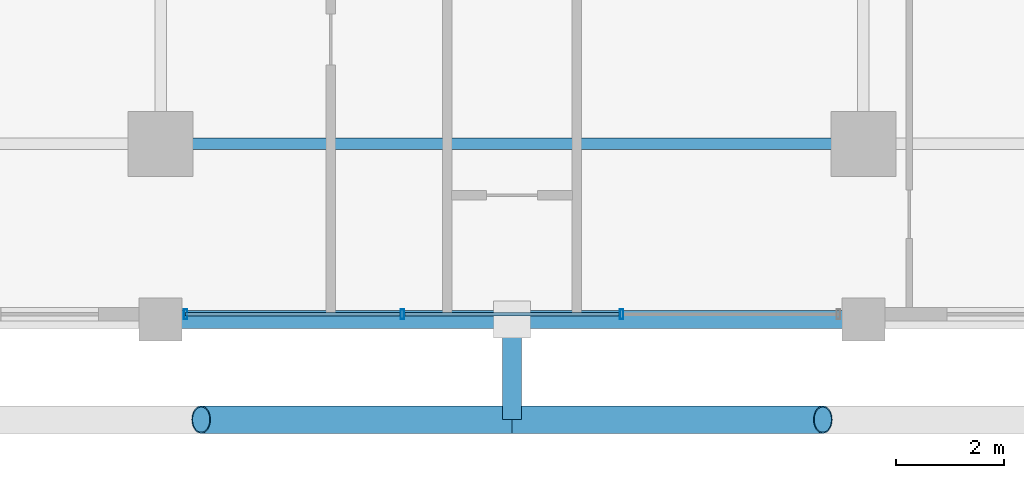
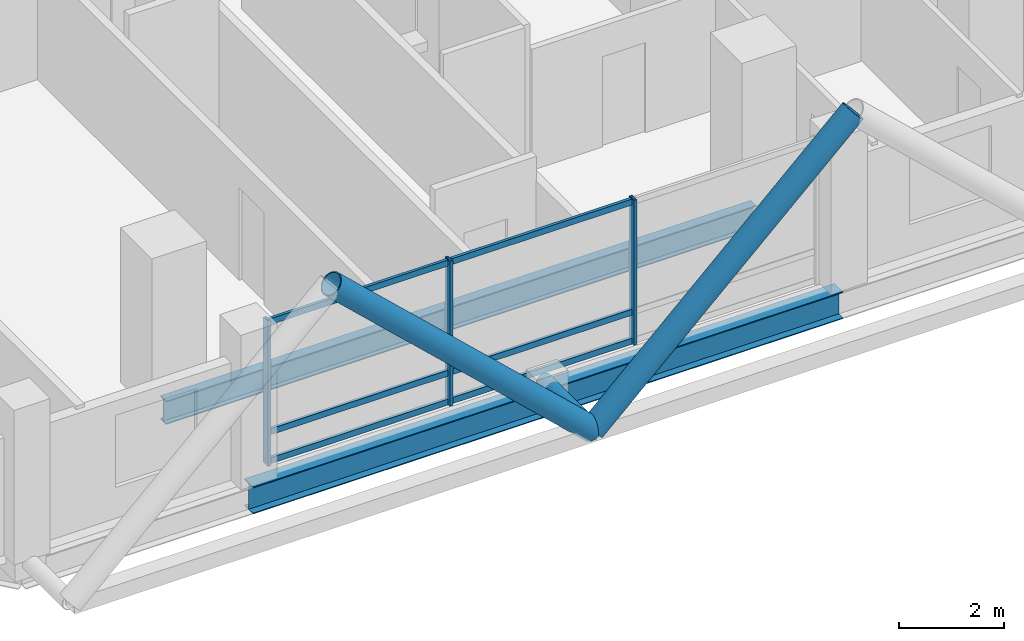
# One storey, part 2 of 25: 12 members, 2 beams, 1 element without a shape of its own.
"""IFC4 building model written with IfcOpenShell, lengths in metres."""

from ifc_helpers import new_model, si_unit, direction, frame, origin, origin_2d, place, context, subcontext, project, spatial, hollow_rectangle, hollow_circle, i_section, extrude, material, layer, layer_set, material_profile, profile_set, type_object, element, aggregate, save


model = new_model("IFC4")

# Units and contexts
model_context = context("Model", 3, precision=1e-05, world=origin(), true_north=direction((0.0, 1.0)))
body_context = subcontext(model_context, "Body", "Model", "MODEL_VIEW")
ifc_project = project(units=[si_unit("LENGTHUNIT", "METRE"), si_unit("AREAUNIT", "SQUARE_METRE"), si_unit("VOLUMEUNIT", "CUBIC_METRE"), si_unit("PLANEANGLEUNIT", "RADIAN"), si_unit("MASSUNIT", "GRAM", prefix="KILO")], contexts=[model_context])

# Site, building, storey
site_placement = place(None, origin())
site = spatial("IfcSite", under=ifc_project, at=site_placement, CompositionType="ELEMENT")
building_placement = place(site_placement, origin())
building = spatial("IfcBuilding", under=site, at=building_placement, Name="Barlavira Tower and Art Museum", CompositionType="ELEMENT")
storey_placement = place(building_placement, frame((0.0, 0.0, 144.0)))
storey = spatial("IfcBuildingStorey", under=building, at=storey_placement, Name="L36", CompositionType="ELEMENT", Elevation=144.0)

# Curtain wall, members
ifc_material_1 = material(Name="Low-iron coastal laminated glass", Category="glass")
ifc_layer = layer(ifc_material_1, 0.18994140625, Name="Low-iron coastal laminated glass")
ifc_layer_set = layer_set([ifc_layer], Name="Low-iron coastal laminated glass")
curtain_wall_type = type_object("IfcCurtainWallType", Name="Pale-Metal Unitised Curtain Wall Zone 2", PredefinedType="NOTDEFINED", material=ifc_layer_set)
curtain_wall_placement = place(storey_placement, origin())
curtain_wall = element("IfcCurtainWall", 1, at=curtain_wall_placement, inside=storey, type_object=curtain_wall_type, Name="L36 Curtain Wall CW2-L36-S-B3", PredefinedType="NOTDEFINED")
ifc_material_2 = material(Name="Pale anodised aluminium", Category="aluminium")
ifc_material_profile_1 = material_profile(ifc_material_2, hollow_rectangle(XDim=0.06494140625, YDim=0.179931640625, WallThickness=0.00390625, at=origin_2d()), Name="ALU-MULL 65x180x4")
ifc_profile_set_1 = profile_set([ifc_material_profile_1], Name="Pale anodised aluminium")
member_type_1 = type_object("IfcMemberType", Name="Curtain Wall Pale-Metal Mullion 65x180", PredefinedType="MULLION", material=ifc_profile_set_1)
member_1_placement = place(storey_placement, frame((-6.034912109375, -23.14990234375, 0.0), z_axis=(0.0, 0.0, 1.0), x_axis=(1.0, 0.0, 0.0)))
member_1 = element("IfcMember", 2, at=member_1_placement, type_object=member_type_1, Name="CW2-L36-S-B3 Mullion 0", PredefinedType="MULLION", context=body_context, shape_type="SweptSolid", body=[
    extrude(hollow_rectangle(XDim=0.06494140625, YDim=0.179931640625, WallThickness=0.00390625, at=origin_2d()), origin(), (0.0, 0.0, 1.0), 3.3798828125),
])
member_2_placement = place(storey_placement, frame((-2.026611328125, -23.14990234375, 0.0), z_axis=(0.0, 0.0, 1.0), x_axis=(1.0, 0.0, 0.0)))
member_2 = element("IfcMember", 3, at=member_2_placement, type_object=member_type_1, Name="CW2-L36-S-B3 Mullion 1", PredefinedType="MULLION", context=body_context, shape_type="SweptSolid", body=[
    extrude(hollow_rectangle(XDim=0.06494140625, YDim=0.179931640625, WallThickness=0.00390625, at=origin_2d()), origin(), (0.0, 0.0, 1.0), 3.3798828125),
])
member_3_placement = place(storey_placement, frame((2.026611328125, -23.14990234375, 0.0), z_axis=(0.0, 0.0, 1.0), x_axis=(1.0, 0.0, 0.0)))
member_3 = element("IfcMember", 4, at=member_3_placement, type_object=member_type_1, Name="CW2-L36-S-B3 Mullion 2", PredefinedType="MULLION", context=body_context, shape_type="SweptSolid", body=[
    extrude(hollow_rectangle(XDim=0.06494140625, YDim=0.179931640625, WallThickness=0.00390625, at=origin_2d()), origin(), (0.0, 0.0, 1.0), 3.3798828125),
])
ifc_material_profile_2 = material_profile(ifc_material_2, hollow_rectangle(XDim=0.06494140625, YDim=0.139892578125, WallThickness=0.00390625, at=origin_2d()), Name="ALU-TRAN 65x140x4")
ifc_profile_set_2 = profile_set([ifc_material_profile_2], Name="Pale anodised aluminium")
member_type_2 = type_object("IfcMemberType", Name="Curtain Wall Pale-Metal Transom 65x140", PredefinedType="USERDEFINED", material=ifc_profile_set_2)
member_4_placement = place(storey_placement, frame((-6.034912109375, -23.14990234375, 0.070068359375), z_axis=(1.0, 0.0, 0.0), x_axis=(0.0, 1.0, 0.0)))
member_4 = element("IfcMember", 5, at=member_4_placement, type_object=member_type_2, Name="CW2-L36-S-B3 Transom 0.1", ObjectType="TRANSOM", PredefinedType="USERDEFINED", context=body_context, shape_type="SweptSolid", body=[
    extrude(hollow_rectangle(XDim=0.06494140625, YDim=0.139892578125, WallThickness=0.00390625, at=origin_2d()), origin(), (0.0, 0.0, 1.0), 3.963134765625),
])
member_5_placement = place(storey_placement, frame((-6.034912109375, -23.14990234375, 0.743896484375), z_axis=(1.0, 0.0, 0.0), x_axis=(0.0, 1.0, 0.0)))
member_5 = element("IfcMember", 6, at=member_5_placement, type_object=member_type_2, Name="CW2-L36-S-B3 Transom 0.2", ObjectType="TRANSOM", PredefinedType="USERDEFINED", context=body_context, shape_type="SweptSolid", body=[
    extrude(hollow_rectangle(XDim=0.06494140625, YDim=0.139892578125, WallThickness=0.00390625, at=origin_2d()), origin(), (0.0, 0.0, 1.0), 3.963134765625),
])
member_6_placement = place(storey_placement, frame((-6.034912109375, -23.14990234375, 3.31005859375), z_axis=(1.0, 0.0, 0.0), x_axis=(0.0, 1.0, 0.0)))
member_6 = element("IfcMember", 7, at=member_6_placement, type_object=member_type_2, Name="CW2-L36-S-B3 Transom 0.3", ObjectType="TRANSOM", PredefinedType="USERDEFINED", context=body_context, shape_type="SweptSolid", body=[
    extrude(hollow_rectangle(XDim=0.06494140625, YDim=0.139892578125, WallThickness=0.00390625, at=origin_2d()), origin(), (0.0, 0.0, 1.0), 3.963134765625),
])
member_7_placement = place(storey_placement, frame((-1.981689453125, -23.14990234375, 0.070068359375), z_axis=(1.0, 0.0, 0.0), x_axis=(0.0, 1.0, 0.0)))
member_7 = element("IfcMember", 8, at=member_7_placement, type_object=member_type_2, Name="CW2-L36-S-B3 Transom 1.1", ObjectType="TRANSOM", PredefinedType="USERDEFINED", context=body_context, shape_type="SweptSolid", body=[
    extrude(hollow_rectangle(XDim=0.06494140625, YDim=0.139892578125, WallThickness=0.00390625, at=origin_2d()), origin(), (0.0, 0.0, 1.0), 3.96337890625),
])
member_8_placement = place(storey_placement, frame((-1.981689453125, -23.14990234375, 0.743896484375), z_axis=(1.0, 0.0, 0.0), x_axis=(0.0, 1.0, 0.0)))
member_8 = element("IfcMember", 9, at=member_8_placement, type_object=member_type_2, Name="CW2-L36-S-B3 Transom 1.2", ObjectType="TRANSOM", PredefinedType="USERDEFINED", context=body_context, shape_type="SweptSolid", body=[
    extrude(hollow_rectangle(XDim=0.06494140625, YDim=0.139892578125, WallThickness=0.00390625, at=origin_2d()), origin(), (0.0, 0.0, 1.0), 3.96337890625),
])
member_9_placement = place(storey_placement, frame((-1.981689453125, -23.14990234375, 3.31005859375), z_axis=(1.0, 0.0, 0.0), x_axis=(0.0, 1.0, 0.0)))
member_9 = element("IfcMember", 10, at=member_9_placement, type_object=member_type_2, Name="CW2-L36-S-B3 Transom 1.3", ObjectType="TRANSOM", PredefinedType="USERDEFINED", context=body_context, shape_type="SweptSolid", body=[
    extrude(hollow_rectangle(XDim=0.06494140625, YDim=0.139892578125, WallThickness=0.00390625, at=origin_2d()), origin(), (0.0, 0.0, 1.0), 3.96337890625),
])
aggregate(curtain_wall, [member_1, member_2, member_3, member_4, member_5, member_6, member_7, member_8, member_9])

# Members
ifc_material_3 = material(Name="Steel S355", Category="steel")
ifc_material_profile_3 = material_profile(ifc_material_3, hollow_circle(Radius=0.25390625, WallThickness=0.022216796875, at=origin_2d()), Name="CHS 508.0x22.2")
ifc_profile_set_3 = profile_set([ifc_material_profile_3], Name="Steel S355")
member_type_3 = type_object("IfcMemberType", Name="Pale-Metal Exoskeleton Diagrid Tube CHS 508x22 Steel S355", PredefinedType="BRACE", material=ifc_profile_set_3)
for number, where, z_axis, x_axis, name in (
    (11, (0.0, -25.10009765625, -0.1201171875), (-0.728934650808, 0.0, 0.684583285548), (0.0, -1.0, 0.0), "L36 Exoskeleton Diagrid Tube S"),
    (12, (0.0, -25.10009765625, -0.1201171875), (0.728934650808, 0.0, 0.684583285548), (0.0, 1.0, 0.0), "L36 Exoskeleton Diagrid Tube S"),
):
    element("IfcMember", number, at=place(storey_placement, frame(where, z_axis=z_axis, x_axis=x_axis)), inside=storey, type_object=member_type_3, Name=name, PredefinedType="BRACE", context=body_context, shape_type="SweptSolid", body=[
        extrude(hollow_circle(Radius=0.25390625, WallThickness=0.022216796875, at=origin_2d()), origin(), (0.0, 0.0, 1.0), 7.88818359375),
    ])
ifc_material_profile_4 = material_profile(ifc_material_3, hollow_circle(Radius=0.177734375, WallThickness=0.01611328125, at=origin_2d()), Name="CHS 355.6x16.0")
ifc_profile_set_4 = profile_set([ifc_material_profile_4], Name="Steel S355")
member_type_4 = type_object("IfcMemberType", Name="Pale-Metal Exoskeleton Tie Strut CHS 356x16 Steel S355", PredefinedType="STRUT", material=ifc_profile_set_4)
member_10_placement = place(storey_placement, frame((0.0, -25.10009765625, -0.1201171875), z_axis=(0.0, 1.0, 0.0), x_axis=(-1.0, 0.0, 0.0)))
element("IfcMember", 13, at=member_10_placement, inside=storey, type_object=member_type_4, Name="L36 Exoskeleton Tie Strut S2", PredefinedType="STRUT", context=body_context, shape_type="SweptSolid", body=[
    extrude(hollow_circle(Radius=0.177734375, WallThickness=0.01611328125, at=origin_2d()), origin(), (0.0, 0.0, 1.0), 1.85009765625),
])

# Beams
ifc_material_profile_5 = material_profile(ifc_material_3, i_section(OverallWidth=0.327880859375, OverallDepth=0.62890625, WebThickness=0.013916015625, FlangeThickness=0.021484375, at=origin_2d()), Name="W610x174.0")
ifc_profile_set_5 = profile_set([ifc_material_profile_5], Name="Steel S355")
beam_type_1 = type_object("IfcBeamType", Name="Perimeter Spandrel Edge Beam W610x174 Steel S355", PredefinedType="SPANDREL", material=ifc_profile_set_5)
beam_1_placement = place(storey_placement, frame((-6.5, -23.25, -0.534423828125), z_axis=(1.0, 0.0, 0.0), x_axis=(0.0, 1.0, 0.0)))
element("IfcBeam", 14, at=beam_1_placement, inside=storey, type_object=beam_type_1, Name="L36 Spandrel 2", PredefinedType="SPANDREL", context=body_context, shape_type="SweptSolid", body=[
    extrude(i_section(OverallWidth=0.327880859375, OverallDepth=0.62890625, WebThickness=0.013916015625, FlangeThickness=0.021484375, at=origin_2d()), origin(), (0.0, 0.0, 1.0), 13.0),
])
ifc_material_profile_6 = material_profile(ifc_material_3, i_section(OverallWidth=0.214111328125, OverallDepth=0.549072265625, WebThickness=0.0146484375, FlangeThickness=0.023681640625, at=origin_2d()), Name="W530x138.0")
ifc_profile_set_6 = profile_set([ifc_material_profile_6], Name="Steel S355")
beam_type_2 = type_object("IfcBeamType", Name="Zone 1 Primary Floor Girder W530x138 Steel S355", PredefinedType="BEAM", material=ifc_profile_set_6)
beam_2_placement = place(storey_placement, frame((-6.5, -20.0, -0.494384765625), z_axis=(1.0, 0.0, 0.0), x_axis=(0.0, 1.0, 0.0)))
element("IfcBeam", 15, at=beam_2_placement, inside=storey, type_object=beam_type_2, Name="L36 Girder M-S2", PredefinedType="BEAM", context=body_context, shape_type="SweptSolid", body=[
    extrude(i_section(OverallWidth=0.214111328125, OverallDepth=0.549072265625, WebThickness=0.0146484375, FlangeThickness=0.023681640625, at=origin_2d()), origin(), (0.0, 0.0, 1.0), 13.0),
])

save(model, "model.ifc")
